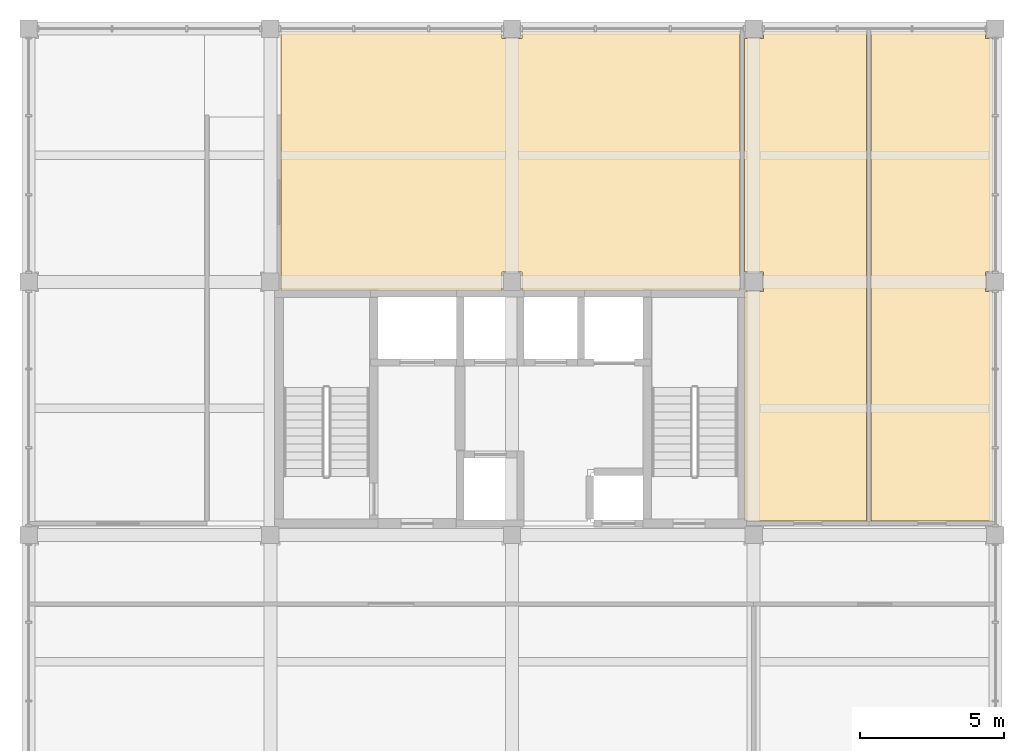
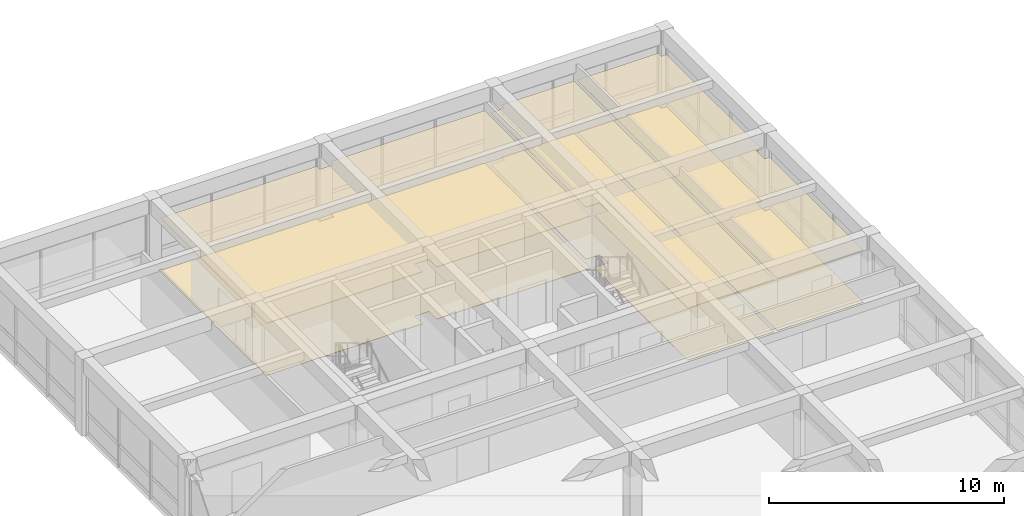
# One storey, part 14 of 14: 6 coverings.
"""IFC4 building model written with IfcOpenShell, lengths in metres."""

from ifc_helpers import new_model, si_unit, direction, frame, origin, place, context, subcontext, project, spatial, polyline, outline, extrude, material, layer, layer_set, type_object, element, save


model = new_model("IFC4")

# Units and contexts
model_context = context("Model", 3, precision=1e-05, world=origin(), true_north=direction((0.0, 1.0)))
body_context = subcontext(model_context, "Body", "Model", "MODEL_VIEW")
ifc_project = project(units=[si_unit("LENGTHUNIT", "METRE"), si_unit("AREAUNIT", "SQUARE_METRE"), si_unit("VOLUMEUNIT", "CUBIC_METRE"), si_unit("PLANEANGLEUNIT", "RADIAN"), si_unit("MASSUNIT", "GRAM", prefix="KILO")], contexts=[model_context])

# Site, building, storey
site_placement = place(None, origin())
site = spatial("IfcSite", under=ifc_project, at=site_placement, CompositionType="ELEMENT")
building_placement = place(site_placement, origin())
building = spatial("IfcBuilding", under=site, at=building_placement, Name="Kemercrest Conservatory and Botanical Centre", CompositionType="ELEMENT")
storey_placement = place(building_placement, frame((0.0, 0.0, 59.800048828125)))
storey = spatial("IfcBuildingStorey", under=building, at=storey_placement, Name="L15", CompositionType="ELEMENT", Elevation=59.800048828125)

# Coverings
ifc_material_1 = material(Name="Perforated acoustic gypsum and mineral-fibre suspended ceiling", Category="gypsum")
ifc_layer_1 = layer(ifc_material_1, 0.034912109375)
ifc_layer_set_1 = layer_set([ifc_layer_1], Name="Perforated acoustic gypsum and mineral-fibre suspended ceiling")
covering_type_1 = type_object("IfcCoveringType", Name="CV-CLG035", PredefinedType="CEILING", material=ifc_layer_set_1)
covering_1_placement = place(storey_placement, frame((0.0, 0.0, 2.699951171875)))
element("IfcCovering", 1, at=covering_1_placement, inside=storey, type_object=covering_type_1, Name="Exhibitions Curatorial Office suspended acoustic ceiling", PredefinedType="CEILING", context=body_context, shape_type="SweptSolid", body=[
    extrude(outline(polyline([(159.5400390625, 113.280029296875), (167.1201171875, 113.280029296875), (167.1201171875, 122.320068359375), (159.5400390625, 122.320068359375), (159.5400390625, 122.06005859375), (158.860107421875, 122.06005859375), (158.860107421875, 122.320068359375), (151.179931640625, 122.320068359375), (151.179931640625, 113.280029296875), (158.860107421875, 113.280029296875), (158.860107421875, 113.93994140625), (159.5400390625, 113.93994140625), (159.5400390625, 113.280029296875)])), origin(), (0.0, 0.0, 1.0), 0.034912109375),
])
covering_2_placement = place(storey_placement, frame((0.0, 0.0, 2.699951171875)))
element("IfcCovering", 2, at=covering_2_placement, inside=storey, type_object=covering_type_1, Name="Public Washroom suspended acoustic ceiling", PredefinedType="CEILING", context=body_context, shape_type="SweptSolid", body=[
    extrude(outline(polyline([(167.280029296875, 105.280029296875), (171.52001953125, 105.280029296875), (171.52001953125, 122.320068359375), (167.93994140625, 122.320068359375), (167.93994140625, 122.06005859375), (167.280029296875, 122.06005859375), (167.280029296875, 113.93994140625), (167.93994140625, 113.93994140625), (167.93994140625, 113.260009765625), (167.280029296875, 113.260009765625), (167.280029296875, 105.280029296875)])), origin(), (0.0, 0.0, 1.0), 0.034912109375),
])
covering_3_placement = place(storey_placement, frame((0.0, 0.0, 2.699951171875)))
element("IfcCovering", 3, at=covering_3_placement, inside=storey, type_object=covering_type_1, Name="Accessible Washroom suspended acoustic ceiling", PredefinedType="CEILING", context=body_context, shape_type="SweptSolid", body=[
    extrude(outline(polyline([(171.679931640625, 105.280029296875), (175.919921875, 105.280029296875), (175.919921875, 113.260009765625), (175.659912109375, 113.260009765625), (175.659912109375, 113.93994140625), (175.919921875, 113.93994140625), (175.919921875, 122.06005859375), (175.659912109375, 122.06005859375), (175.659912109375, 122.320068359375), (171.679931640625, 122.320068359375), (171.679931640625, 105.280029296875)])), origin(), (0.0, 0.0, 1.0), 0.034912109375),
])
ifc_material_2 = material(Name="Polished limestone terrazzo and seamless laboratory epoxy flooring", Category="masonry")
ifc_layer_2 = layer(ifc_material_2, 0.02001953125)
ifc_layer_set_2 = layer_set([ifc_layer_2], Name="Polished limestone terrazzo and seamless laboratory epoxy flooring")
covering_type_2 = type_object("IfcCoveringType", Name="CV-FLR020", PredefinedType="FLOORING", material=ifc_layer_set_2)
covering_4_placement = place(storey_placement, origin())
element("IfcCovering", 4, at=covering_4_placement, inside=storey, type_object=covering_type_2, Name="Exhibitions Curatorial Office floor finish", PredefinedType="FLOORING", context=body_context, shape_type="SweptSolid", body=[
    extrude(outline(polyline([(159.5400390625, 113.280029296875), (167.1201171875, 113.280029296875), (167.1201171875, 122.320068359375), (159.5400390625, 122.320068359375), (159.5400390625, 122.06005859375), (158.860107421875, 122.06005859375), (158.860107421875, 122.320068359375), (151.179931640625, 122.320068359375), (151.179931640625, 113.280029296875), (158.860107421875, 113.280029296875), (158.860107421875, 113.93994140625), (159.5400390625, 113.93994140625), (159.5400390625, 113.280029296875)])), origin(), (0.0, 0.0, 1.0), 0.02001953125),
])
covering_5_placement = place(storey_placement, origin())
element("IfcCovering", 5, at=covering_5_placement, inside=storey, type_object=covering_type_2, Name="Public Washroom floor finish", PredefinedType="FLOORING", context=body_context, shape_type="SweptSolid", body=[
    extrude(outline(polyline([(167.280029296875, 105.280029296875), (171.52001953125, 105.280029296875), (171.52001953125, 122.320068359375), (167.93994140625, 122.320068359375), (167.93994140625, 122.06005859375), (167.280029296875, 122.06005859375), (167.280029296875, 113.93994140625), (167.93994140625, 113.93994140625), (167.93994140625, 113.260009765625), (167.280029296875, 113.260009765625), (167.280029296875, 105.280029296875)])), origin(), (0.0, 0.0, 1.0), 0.02001953125),
])
covering_6_placement = place(storey_placement, origin())
element("IfcCovering", 6, at=covering_6_placement, inside=storey, type_object=covering_type_2, Name="Accessible Washroom floor finish", PredefinedType="FLOORING", context=body_context, shape_type="SweptSolid", body=[
    extrude(outline(polyline([(171.679931640625, 105.280029296875), (175.919921875, 105.280029296875), (175.919921875, 113.260009765625), (175.659912109375, 113.260009765625), (175.659912109375, 113.93994140625), (175.919921875, 113.93994140625), (175.919921875, 122.06005859375), (175.659912109375, 122.06005859375), (175.659912109375, 122.320068359375), (171.679931640625, 122.320068359375), (171.679931640625, 105.280029296875)])), origin(), (0.0, 0.0, 1.0), 0.02001953125),
])

save(model, "model.ifc")
